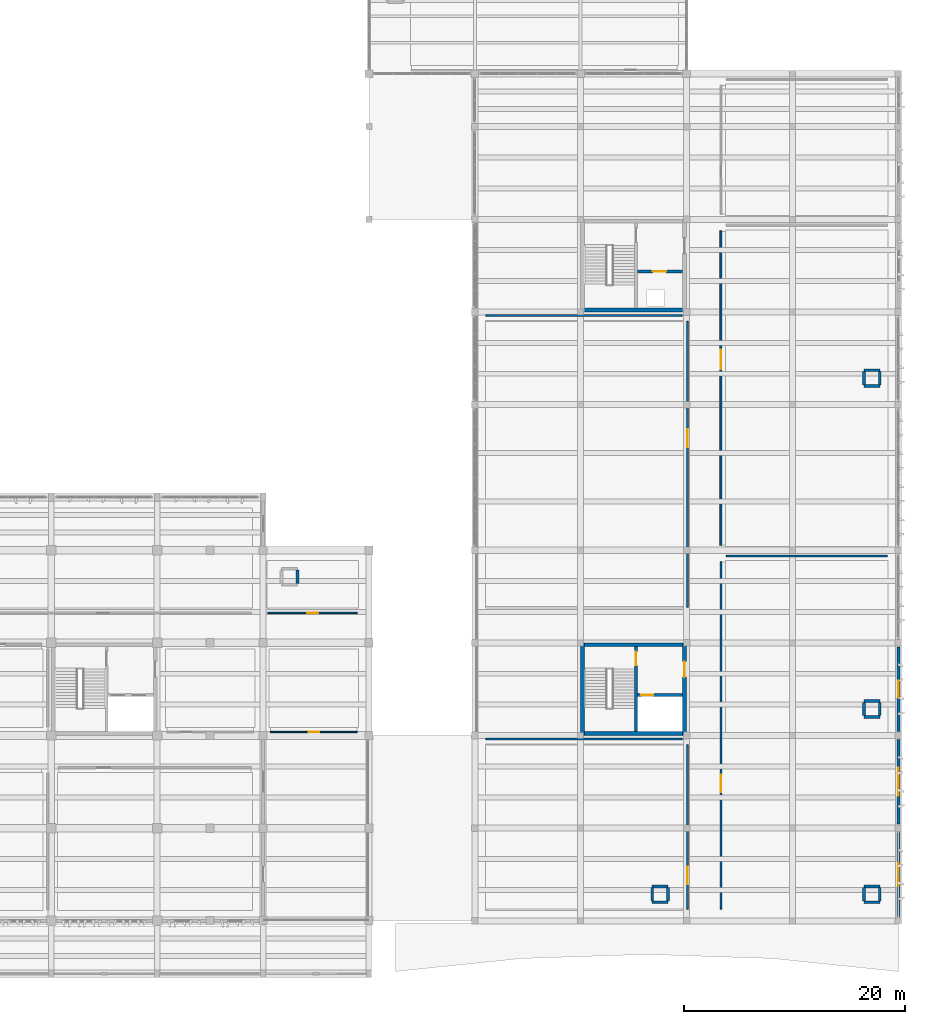
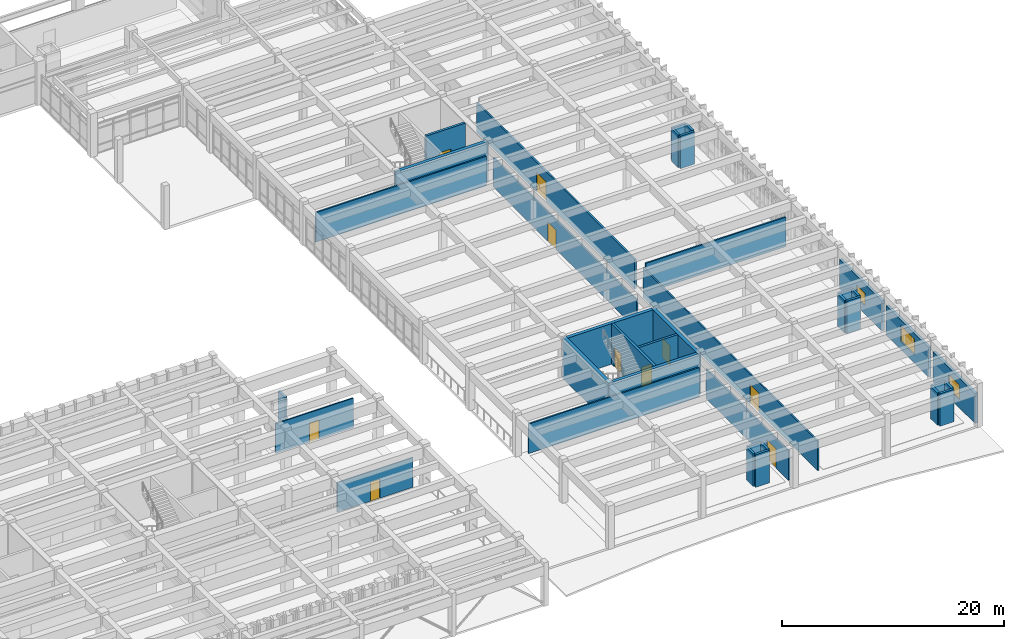
# One storey, part 70 of 86: 37 walls, 10 doors, 3 windows, 13 openings.
"""IFC4 building model written with IfcOpenShell, lengths in metres."""

from ifc_helpers import new_model, si_unit, direction, frame, frame_2d, origin, place, context, subcontext, project, spatial, rectangle, extrude, material, layer, layer_set, type_object, element, fill, save


model = new_model("IFC4")

# Units and contexts
model_context = context("Model", 3, precision=1e-05, world=origin(), true_north=direction((0.0, 1.0)))
body_context = subcontext(model_context, "Body", "Model", "MODEL_VIEW")
ifc_project = project(units=[si_unit("LENGTHUNIT", "METRE"), si_unit("AREAUNIT", "SQUARE_METRE"), si_unit("VOLUMEUNIT", "CUBIC_METRE"), si_unit("PLANEANGLEUNIT", "RADIAN"), si_unit("MASSUNIT", "GRAM", prefix="KILO")], contexts=[model_context])

# Site, building, storey
site_placement = place(None, origin())
site = spatial("IfcSite", under=ifc_project, at=site_placement, CompositionType="ELEMENT")
building_placement = place(site_placement, origin())
building = spatial("IfcBuilding", under=site, at=building_placement, Name="Kolvemor Railside Polytechnic", CompositionType="ELEMENT")
storey_placement = place(building_placement, frame((0.0, 0.0, 5.39990234375)))
storey = spatial("IfcBuildingStorey", under=building, at=storey_placement, Name="L01", CompositionType="ELEMENT", Elevation=5.39990234375)

# Walls
ifc_material_1 = material(Name="Concrete C40/50", Category="concrete")
ifc_layer_1 = layer(ifc_material_1, 0.35009765625, Name="WL-CORE-350")
ifc_layer_set_1 = layer_set([ifc_layer_1], Name="Concrete C40/50")
wall_type_1 = type_object("IfcWallType", Name="WL-CORE-350", PredefinedType="SHEAR", material=ifc_layer_set_1)
for number, where, z_axis, x_axis, name in (
    (1, (153.60009765625, 29.824951171875, 0.0), (0.0, 0.0, 1.0), (1.0, 0.0, 0.0), "CORE-6 North Core Wall L01"),
    (2, (153.60009765625, 21.77490234375, 0.0), (0.0, 0.0, 1.0), (1.0, 0.0, 0.0), "CORE-6 South Core Wall L01"),
):
    element("IfcWall", number, at=place(storey_placement, frame(where, z_axis=z_axis, x_axis=x_axis)), inside=storey, type_object=wall_type_1, Name=name, PredefinedType="SHEAR", context=body_context, shape_type="SweptSolid", body=[
        extrude(rectangle(XDim=9.599853515625, YDim=0.35009765625, at=frame_2d((4.7998046875, 0.0))), origin(), (0.0, 0.0, 1.0), 4.47998046875),
    ])
wall_1_placement = place(storey_placement, frame((153.77490234375, 21.60009765625, 0.0), z_axis=(0.0, 0.0, 1.0), x_axis=(0.0, 1.0, 0.0)))
element("IfcWall", 3, at=wall_1_placement, inside=storey, type_object=wall_type_1, Name="CORE-6 West Core Wall L01", PredefinedType="SHEAR", context=body_context, shape_type="SweptSolid", body=[
    extrude(rectangle(XDim=8.39990234375, YDim=0.35009765625, at=frame_2d((4.199951171875, 0.0))), origin(), (0.0, 0.0, 1.0), 4.47998046875),
])

# Wall, opening, door
wall_2_placement = place(storey_placement, frame((163.02490234375, 21.60009765625, 0.0), z_axis=(0.0, 0.0, 1.0), x_axis=(0.0, 1.0, 0.0)))
wall_2 = element("IfcWall", 4, at=wall_2_placement, inside=storey, type_object=wall_type_1, Name="CORE-6 East Core Wall L01", PredefinedType="SHEAR", context=body_context, shape_type="SweptSolid", body=[
    extrude(rectangle(XDim=8.39990234375, YDim=0.35009765625, at=frame_2d((4.199951171875, 0.0))), origin(), (0.0, 0.0, 1.0), 4.47998046875),
])
opening_1_placement = place(wall_2_placement, frame((5.300048828125, 0.0, 0.0)))
opening_1 = element("IfcOpeningElement", 5, at=opening_1_placement, cuts=wall_2, Name="Opening D-LOB-6-L01", PredefinedType="OPENING", context=body_context, shape_type="SweptSolid", body=[
    extrude(rectangle(XDim=1.39990234375, YDim=2.14990234375, at=frame_2d((0.699951171875, 1.074951171875))), frame((0.0, 0.18505859375, 0.0), z_axis=(0.0, -1.0, 0.0), x_axis=(1.0, 0.0, 0.0)), (0.0, 0.0, 1.0), 0.3701171875),
])
ifc_material_2 = material(Name="Fire-rated hardwood and brushed stainless-steel door", Category="steel")
door_type_1 = type_object("IfcDoorType", Name="DR-FD60-140x215", OperationType="NOTDEFINED", PredefinedType="DOOR", material=ifc_material_2)
door_1_placement = place(opening_1_placement, origin())
door_1 = element("IfcDoor", 6, at=door_1_placement, inside=storey, type_object=door_type_1, Name="Core Lobby Fire Door CORE-6 L01", OperationType="SINGLE_SWING_RIGHT", OverallHeight=2.14990234375, OverallWidth=1.39990234375, PredefinedType="DOOR", context=body_context, shape_type="SweptSolid", body=[
    extrude(rectangle(XDim=1.39990234375, YDim=2.14990234375, at=frame_2d((0.699951171875, 1.074951171875))), frame((0.0, 0.02490234375, 0.0), z_axis=(0.0, -1.0, 0.0), x_axis=(1.0, 0.0, 0.0)), (0.0, 0.0, 1.0), 0.050048828125),
])
fill(opening_1, door_1)

# Wall
wall_3_placement = place(storey_placement, frame((153.60009765625, 60.175048828125, 0.0), z_axis=(0.0, 0.0, 1.0), x_axis=(1.0, 0.0, 0.0)))
element("IfcWall", 7, at=wall_3_placement, inside=storey, type_object=wall_type_1, Name="CORE-7 South Core Wall L01", PredefinedType="SHEAR", context=body_context, shape_type="SweptSolid", body=[
    extrude(rectangle(XDim=9.599853515625, YDim=0.35009765625, at=frame_2d((4.7998046875, 0.0))), origin(), (0.0, 0.0, 1.0), 4.47998046875),
])

# Wall, opening, window
ifc_material_3 = material(Name="Precast concrete C40/50", Category="concrete")
ifc_layer_2 = layer(ifc_material_3, 0.27001953125, Name="WL-EXT-RC-270")
ifc_layer_set_2 = layer_set([ifc_layer_2], Name="Precast concrete C40/50")
wall_type_2 = type_object("IfcWallType", Name="WL-EXT-RC-270", PredefinedType="SOLIDWALL", material=ifc_layer_set_2)
wall_4_placement = place(storey_placement, frame((182.39990234375, 5.179931640625, 0.0), z_axis=(0.0, 0.0, 1.0), x_axis=(0.0, 1.0, 0.0)))
wall_4 = element("IfcWall", 8, at=wall_4_placement, inside=storey, type_object=wall_type_2, Name="Exterior Wall L01-0045", PredefinedType="SOLIDWALL", context=body_context, shape_type="SweptSolid", body=[
    extrude(rectangle(XDim=7.64013671875, YDim=0.27001953125, at=frame_2d((3.820068359375, 0.0))), origin(), (0.0, 0.0, 1.0), 3.280029296875),
])
opening_2_placement = place(wall_4_placement, frame((2.794921875, 0.0, 0.89990234375)))
opening_2 = element("IfcOpeningElement", 9, at=opening_2_placement, cuts=wall_4, Name="Opening WN-M08", PredefinedType="OPENING", context=body_context, shape_type="SweptSolid", body=[
    extrude(rectangle(XDim=2.050048828125, YDim=1.60009765625, at=frame_2d((1.02490234375, 0.800048828125))), frame((0.0, 0.14501953125, 0.0), z_axis=(0.0, -1.0, 0.0), x_axis=(1.0, 0.0, 0.0)), (0.0, 0.0, 1.0), 0.2900390625),
])
ifc_material_4 = material(Name="Hurricane-laminated thermally broken aluminium window", Category="aluminium")
window_type_1 = type_object("IfcWindowType", Name="WN-MOD-205x160", PartitioningType="DOUBLE_PANEL_VERTICAL", PredefinedType="WINDOW", material=ifc_material_4)
window_1_placement = place(opening_2_placement, origin())
window_1 = element("IfcWindow", 10, at=window_1_placement, inside=storey, type_object=window_type_1, Name="Window L01-0042", OverallHeight=1.60009765625, OverallWidth=2.050048828125, PartitioningType="SINGLE_PANEL", PredefinedType="WINDOW", context=body_context, shape_type="SweptSolid", body=[
    extrude(rectangle(XDim=2.050048828125, YDim=1.60009765625, at=frame_2d((1.02490234375, 0.800048828125))), frame((0.0, 0.030029296875, 0.0), z_axis=(0.0, -1.0, 0.0), x_axis=(1.0, 0.0, 0.0)), (0.0, 0.0, 1.0), 0.06005859375),
])
fill(opening_2, window_1)

wall_5_placement = place(storey_placement, frame((182.39990234375, 13.580078125, 0.0), z_axis=(0.0, 0.0, 1.0), x_axis=(0.0, 1.0, 0.0)))
wall_5 = element("IfcWall", 11, at=wall_5_placement, inside=storey, type_object=wall_type_2, Name="Exterior Wall L01-0048", PredefinedType="SOLIDWALL", context=body_context, shape_type="SweptSolid", body=[
    extrude(rectangle(XDim=7.639892578125, YDim=0.27001953125, at=frame_2d((3.81982421875, 0.0))), origin(), (0.0, 0.0, 1.0), 3.280029296875),
])
opening_3_placement = place(wall_5_placement, frame((2.544921875, 0.0, 0.89990234375)))
opening_3 = element("IfcOpeningElement", 12, at=opening_3_placement, cuts=wall_5, Name="Opening WN-M13", PredefinedType="OPENING", context=body_context, shape_type="SweptSolid", body=[
    extrude(rectangle(XDim=2.550048828125, YDim=1.75, at=frame_2d((1.27490234375, 0.875))), frame((0.0, 0.14501953125, 0.0), z_axis=(0.0, -1.0, 0.0), x_axis=(1.0, 0.0, 0.0)), (0.0, 0.0, 1.0), 0.2900390625),
])
ifc_material_5 = material(Name="Hurricane-laminated thermally broken aluminium window", Category="aluminium")
window_type_2 = type_object("IfcWindowType", Name="WN-MOD-255x175", PartitioningType="DOUBLE_PANEL_VERTICAL", PredefinedType="WINDOW", material=ifc_material_5)
window_2_placement = place(opening_3_placement, origin())
window_2 = element("IfcWindow", 13, at=window_2_placement, inside=storey, type_object=window_type_2, Name="Window L01-0045", OverallHeight=1.75, OverallWidth=2.550048828125, PartitioningType="SINGLE_PANEL", PredefinedType="WINDOW", context=body_context, shape_type="SweptSolid", body=[
    extrude(rectangle(XDim=2.550048828125, YDim=1.75, at=frame_2d((1.27490234375, 0.875))), frame((0.0, 0.030029296875, 0.0), z_axis=(0.0, -1.0, 0.0), x_axis=(1.0, 0.0, 0.0)), (0.0, 0.0, 1.0), 0.06005859375),
])
fill(opening_3, window_2)

wall_6_placement = place(storey_placement, frame((182.39990234375, 21.97998046875, 0.0), z_axis=(0.0, 0.0, 1.0), x_axis=(0.0, 1.0, 0.0)))
wall_6 = element("IfcWall", 14, at=wall_6_placement, inside=storey, type_object=wall_type_2, Name="Exterior Wall L01-0056", PredefinedType="SOLIDWALL", context=body_context, shape_type="SweptSolid", body=[
    extrude(rectangle(XDim=7.64013671875, YDim=0.27001953125, at=frame_2d((3.820068359375, 0.0))), origin(), (0.0, 0.0, 1.0), 3.280029296875),
])
opening_4_placement = place(wall_6_placement, frame((3.070068359375, 0.0, 0.89990234375)))
opening_4 = element("IfcOpeningElement", 15, at=opening_4_placement, cuts=wall_6, Name="Opening WN-M18", PredefinedType="OPENING", context=body_context, shape_type="SweptSolid", body=[
    extrude(rectangle(XDim=1.5, YDim=1.39990234375, at=frame_2d((0.75, 0.699951171875))), frame((0.0, 0.14501953125, 0.0), z_axis=(0.0, -1.0, 0.0), x_axis=(1.0, 0.0, 0.0)), (0.0, 0.0, 1.0), 0.2900390625),
])
ifc_material_6 = material(Name="Hurricane-laminated thermally broken aluminium window", Category="aluminium")
window_type_3 = type_object("IfcWindowType", Name="WN-MOD-150x140", PartitioningType="SINGLE_PANEL", PredefinedType="WINDOW", material=ifc_material_6)
window_3_placement = place(opening_4_placement, origin())
window_3 = element("IfcWindow", 16, at=window_3_placement, inside=storey, type_object=window_type_3, Name="Window L01-0052", OverallHeight=1.39990234375, OverallWidth=1.5, PartitioningType="SINGLE_PANEL", PredefinedType="WINDOW", context=body_context, shape_type="SweptSolid", body=[
    extrude(rectangle(XDim=1.5, YDim=1.39990234375, at=frame_2d((0.75, 0.699951171875))), frame((0.0, 0.030029296875, 0.0), z_axis=(0.0, -1.0, 0.0), x_axis=(1.0, 0.0, 0.0)), (0.0, 0.0, 1.0), 0.06005859375),
])
fill(opening_4, window_3)

# Wall, opening, door
ifc_material_7 = material(Name="Wet-area tile-backer partition")
ifc_layer_3 = layer(ifc_material_7, 0.1201171875, Name="WL-PART-120")
ifc_layer_set_3 = layer_set([ifc_layer_3], Name="Wet-area tile-backer partition")
wall_type_3 = type_object("IfcWallType", Name="WL-PART-120", PredefinedType="PARTITIONING", material=ifc_layer_set_3)
wall_7_placement = place(storey_placement, frame((125.449951171875, 21.919921875, 0.0), z_axis=(0.0, 0.0, 1.0), x_axis=(1.0, 0.0, 0.0)))
wall_7 = element("IfcWall", 17, at=wall_7_placement, inside=storey, type_object=wall_type_3, Name="Partition Wall L01-0114", PredefinedType="PARTITIONING", context=body_context, shape_type="SweptSolid", body=[
    extrude(rectangle(XDim=7.900146484375, YDim=0.1201171875, at=frame_2d((3.9501953125, 0.0))), origin(), (0.0, 0.0, 1.0), 3.260009765625),
])
opening_5_placement = place(wall_7_placement, frame((3.47509765625, 0.0, 0.0)))
opening_5 = element("IfcOpeningElement", 18, at=opening_5_placement, cuts=wall_7, Name="Opening D-01065", PredefinedType="OPENING", context=body_context, shape_type="SweptSolid", body=[
    extrude(rectangle(XDim=0.949951171875, YDim=2.10009765625, at=frame_2d((0.47509765625, 1.050048828125))), frame((0.0, 0.070068359375, 0.0), z_axis=(0.0, -1.0, 0.0), x_axis=(1.0, 0.0, 0.0)), (0.0, 0.0, 1.0), 0.14013671875),
])
ifc_material_8 = material(Name="Solid hardwood acoustic door", Category="wood")
door_type_2 = type_object("IfcDoorType", Name="DR-WC-095x210", OperationType="NOTDEFINED", PredefinedType="DOOR", material=ifc_material_8)
door_2_placement = place(opening_5_placement, origin())
door_2 = element("IfcDoor", 19, at=door_2_placement, inside=storey, type_object=door_type_2, Name="Room Door D-01065 (Main Stack Accessible WC L01)", OperationType="SINGLE_SWING_RIGHT", OverallHeight=2.10009765625, OverallWidth=0.949951171875, PredefinedType="DOOR", context=body_context, shape_type="SweptSolid", body=[
    extrude(rectangle(XDim=0.949951171875, YDim=2.10009765625, at=frame_2d((0.47509765625, 1.050048828125))), frame((0.0, 0.02490234375, 0.0), z_axis=(0.0, -1.0, 0.0), x_axis=(1.0, 0.0, 0.0)), (0.0, 0.0, 1.0), 0.050048828125),
])
fill(opening_5, door_2)

ifc_material_9 = material(Name="Departmental partition")
ifc_layer_4 = layer(ifc_material_9, 0.1298828125, Name="WL-PART-130")
ifc_layer_set_4 = layer_set([ifc_layer_4], Name="Departmental partition")
wall_type_4 = type_object("IfcWallType", Name="WL-PART-130", PredefinedType="PARTITIONING", material=ifc_layer_set_4)
wall_8_placement = place(storey_placement, frame((125.25, 32.719970703125, 0.0), z_axis=(0.0, 0.0, 1.0), x_axis=(1.0, 0.0, 0.0)))
wall_8 = element("IfcWall", 20, at=wall_8_placement, inside=storey, type_object=wall_type_4, Name="Partition Wall L01-0118", PredefinedType="PARTITIONING", context=body_context, shape_type="SweptSolid", body=[
    extrude(rectangle(XDim=8.10009765625, YDim=0.1298828125, at=frame_2d((4.050048828125, 0.0))), origin(), (0.0, 0.0, 1.0), 3.260009765625),
])
opening_6_placement = place(wall_8_placement, frame((3.56005859375, 0.0, 0.0)))
opening_6 = element("IfcOpeningElement", 21, at=opening_6_placement, cuts=wall_8, Name="Opening D-01068", PredefinedType="OPENING", context=body_context, shape_type="SweptSolid", body=[
    extrude(rectangle(XDim=0.97998046875, YDim=2.10009765625, at=frame_2d((0.489990234375, 1.050048828125))), frame((0.0, 0.074951171875, 0.0), z_axis=(0.0, -1.0, 0.0), x_axis=(1.0, 0.0, 0.0)), (0.0, 0.0, 1.0), 0.14990234375),
])
ifc_material_10 = material(Name="Solid hardwood acoustic door", Category="wood")
door_type_3 = type_object("IfcDoorType", Name="DR-ADM-098x210", OperationType="NOTDEFINED", PredefinedType="DOOR", material=ifc_material_10)
door_3_placement = place(opening_6_placement, origin())
door_3 = element("IfcDoor", 22, at=door_3_placement, inside=storey, type_object=door_type_3, Name="Room Door D-01068 (Laboratory Prep and Technician Office L01)", OperationType="SINGLE_SWING_LEFT", OverallHeight=2.10009765625, OverallWidth=0.97998046875, PredefinedType="DOOR", context=body_context, shape_type="SweptSolid", body=[
    extrude(rectangle(XDim=0.97998046875, YDim=2.10009765625, at=frame_2d((0.489990234375, 1.050048828125))), frame((0.0, 0.02490234375, 0.0), z_axis=(0.0, -1.0, 0.0), x_axis=(1.0, 0.0, 0.0)), (0.0, 0.0, 1.0), 0.050048828125),
])
fill(opening_6, door_3)

ifc_material_11 = material(Name="Acoustic studio partition")
ifc_layer_5 = layer(ifc_material_11, 0.14990234375, Name="WL-PART-150")
ifc_layer_set_5 = layer_set([ifc_layer_5], Name="Acoustic studio partition")
wall_type_5 = type_object("IfcWallType", Name="WL-PART-150", PredefinedType="PARTITIONING", material=ifc_layer_set_5)
wall_9_placement = place(storey_placement, frame((163.280029296875, 5.85009765625, 0.0), z_axis=(0.0, 0.0, 1.0), x_axis=(0.0, 1.0, 0.0)))
wall_9 = element("IfcWall", 23, at=wall_9_placement, inside=storey, type_object=wall_type_5, Name="Partition Wall L01-0119", PredefinedType="PARTITIONING", context=body_context, shape_type="SweptSolid", body=[
    extrude(rectangle(XDim=14.89990234375, YDim=0.14990234375, at=frame_2d((7.449951171875, 0.0))), origin(), (0.0, 0.0, 1.0), 3.260009765625),
])
opening_7_placement = place(wall_9_placement, frame((2.27490234375, 0.0, 0.0)))
opening_7 = element("IfcOpeningElement", 24, at=opening_7_placement, cuts=wall_9, Name="Opening D-01069", PredefinedType="OPENING", context=body_context, shape_type="SweptSolid", body=[
    extrude(rectangle(XDim=1.60009765625, YDim=2.14990234375, at=frame_2d((0.800048828125, 1.074951171875))), frame((0.0, 0.0849609375, 0.0), z_axis=(0.0, -1.0, 0.0), x_axis=(1.0, 0.0, 0.0)), (0.0, 0.0, 1.0), 0.169921875),
])
ifc_material_12 = material(Name="Fire-rated hardwood and brushed stainless-steel door", Category="steel")
door_type_4 = type_object("IfcDoorType", Name="DR-FD60-160x215", OperationType="NOTDEFINED", PredefinedType="DOOR", material=ifc_material_12)
door_4_placement = place(opening_7_placement, origin())
door_4 = element("IfcDoor", 25, at=door_4_placement, inside=storey, type_object=door_type_4, Name="Room Door D-01069 (Student Union Mezzanine Gallery)", OperationType="SINGLE_SWING_RIGHT", OverallHeight=2.14990234375, OverallWidth=1.60009765625, PredefinedType="DOOR", context=body_context, shape_type="SweptSolid", body=[
    extrude(rectangle(XDim=1.60009765625, YDim=2.14990234375, at=frame_2d((0.800048828125, 1.074951171875))), frame((0.0, 0.02490234375, 0.0), z_axis=(0.0, -1.0, 0.0), x_axis=(1.0, 0.0, 0.0)), (0.0, 0.0, 1.0), 0.050048828125),
])
fill(opening_7, door_4)

# Wall
wall_10_placement = place(storey_placement, frame((145.0, 21.280029296875, 0.0), z_axis=(0.0, 0.0, 1.0), x_axis=(1.0, 0.0, 0.0)))
element("IfcWall", 26, at=wall_10_placement, inside=storey, type_object=wall_type_5, Name="Demising Partition L01-0120", PredefinedType="PARTITIONING", context=body_context, shape_type="SweptSolid", body=[
    extrude(rectangle(XDim=17.800048828125, YDim=0.14990234375, at=frame_2d((8.89990234375, 0.0))), origin(), (0.0, 0.0, 1.0), 3.260009765625),
])

# Wall, opening, door
wall_11_placement = place(storey_placement, frame((166.320068359375, 5.85009765625, 0.0), z_axis=(0.0, 0.0, 1.0), x_axis=(0.0, 1.0, 0.0)))
wall_11 = element("IfcWall", 27, at=wall_11_placement, inside=storey, type_object=wall_type_5, Name="Partition Wall L01-0121", PredefinedType="PARTITIONING", context=body_context, shape_type="SweptSolid", body=[
    extrude(rectangle(XDim=31.5, YDim=0.14990234375, at=frame_2d((15.75, 0.0))), origin(), (0.0, 0.0, 1.0), 3.260009765625),
])
opening_8_placement = place(wall_11_placement, frame((10.5849609375, 0.0, 0.0)))
opening_8 = element("IfcOpeningElement", 28, at=opening_8_placement, cuts=wall_11, Name="Opening D-01070", PredefinedType="OPENING", context=body_context, shape_type="SweptSolid", body=[
    extrude(rectangle(XDim=1.60009765625, YDim=2.14990234375, at=frame_2d((0.800048828125, 1.074951171875))), frame((0.0, 0.0849609375, 0.0), z_axis=(0.0, -1.0, 0.0), x_axis=(1.0, 0.0, 0.0)), (0.0, 0.0, 1.0), 0.169921875),
])
door_5_placement = place(opening_8_placement, origin())
door_5 = element("IfcDoor", 29, at=door_5_placement, inside=storey, type_object=door_type_4, Name="Room Door D-01070 (Student Media and Radio Studio)", OperationType="SINGLE_SWING_LEFT", OverallHeight=2.14990234375, OverallWidth=1.60009765625, PredefinedType="DOOR", context=body_context, shape_type="SweptSolid", body=[
    extrude(rectangle(XDim=1.60009765625, YDim=2.14990234375, at=frame_2d((0.800048828125, 1.074951171875))), frame((0.0, 0.02490234375, 0.0), z_axis=(0.0, -1.0, 0.0), x_axis=(1.0, 0.0, 0.0)), (0.0, 0.0, 1.0), 0.050048828125),
])
fill(opening_8, door_5)

# Wall
wall_12_placement = place(storey_placement, frame((166.800048828125, 37.8798828125, 0.0), z_axis=(0.0, 0.0, 1.0), x_axis=(1.0, 0.0, 0.0)))
element("IfcWall", 30, at=wall_12_placement, inside=storey, type_object=wall_type_5, Name="Demising Partition L01-0122", PredefinedType="PARTITIONING", context=body_context, shape_type="SweptSolid", body=[
    extrude(rectangle(XDim=14.599853515625, YDim=0.14990234375, at=frame_2d((7.2998046875, 0.0))), origin(), (0.0, 0.0, 1.0), 3.260009765625),
])

# Wall, opening, door
wall_13_placement = place(storey_placement, frame((163.280029296875, 33.25, 0.0), z_axis=(0.0, 0.0, 1.0), x_axis=(0.0, 1.0, 0.0)))
wall_13 = element("IfcWall", 31, at=wall_13_placement, inside=storey, type_object=wall_type_5, Name="Partition Wall L01-0125", PredefinedType="PARTITIONING", context=body_context, shape_type="SweptSolid", body=[
    extrude(rectangle(XDim=25.89990234375, YDim=0.14990234375, at=frame_2d((12.949951171875, 0.0))), origin(), (0.0, 0.0, 1.0), 3.260009765625),
])
opening_9_placement = place(wall_13_placement, frame((14.5, 0.0, 0.0)))
opening_9 = element("IfcOpeningElement", 32, at=opening_9_placement, cuts=wall_13, Name="Opening D-01072", PredefinedType="OPENING", context=body_context, shape_type="SweptSolid", body=[
    extrude(rectangle(XDim=1.60009765625, YDim=2.14990234375, at=frame_2d((0.800048828125, 1.074951171875))), frame((0.0, 0.0849609375, 0.0), z_axis=(0.0, -1.0, 0.0), x_axis=(1.0, 0.0, 0.0)), (0.0, 0.0, 1.0), 0.169921875),
])
door_6_placement = place(opening_9_placement, origin())
door_6 = element("IfcDoor", 33, at=door_6_placement, inside=storey, type_object=door_type_4, Name="Room Door D-01072 (Student Study Lounge L01)", OperationType="SINGLE_SWING_LEFT", OverallHeight=2.14990234375, OverallWidth=1.60009765625, PredefinedType="DOOR", context=body_context, shape_type="SweptSolid", body=[
    extrude(rectangle(XDim=1.60009765625, YDim=2.14990234375, at=frame_2d((0.800048828125, 1.074951171875))), frame((0.0, 0.02490234375, 0.0), z_axis=(0.0, -1.0, 0.0), x_axis=(1.0, 0.0, 0.0)), (0.0, 0.0, 1.0), 0.050048828125),
])
fill(opening_9, door_6)

# Wall
wall_14_placement = place(storey_placement, frame((145.0, 59.679931640625, 0.0), z_axis=(0.0, 0.0, 1.0), x_axis=(1.0, 0.0, 0.0)))
element("IfcWall", 34, at=wall_14_placement, inside=storey, type_object=wall_type_5, Name="Demising Partition L01-0126", PredefinedType="PARTITIONING", context=body_context, shape_type="SweptSolid", body=[
    extrude(rectangle(XDim=17.800048828125, YDim=0.14990234375, at=frame_2d((8.89990234375, 0.0))), origin(), (0.0, 0.0, 1.0), 3.260009765625),
])

# Wall, opening, door
ifc_material_13 = material(Name="Fire-rated double-stud acoustic partition")
ifc_layer_6 = layer(ifc_material_13, 0.179931640625, Name="WL-PART-180")
ifc_layer_set_6 = layer_set([ifc_layer_6], Name="Fire-rated double-stud acoustic partition")
wall_type_6 = type_object("IfcWallType", Name="WL-PART-180", PredefinedType="PARTITIONING", material=ifc_layer_set_6)
wall_15_placement = place(storey_placement, frame((166.320068359375, 38.85009765625, 0.0), z_axis=(0.0, 0.0, 1.0), x_axis=(0.0, 1.0, 0.0)))
wall_15 = element("IfcWall", 35, at=wall_15_placement, inside=storey, type_object=wall_type_6, Name="Partition Wall L01-0123", PredefinedType="PARTITIONING", context=body_context, shape_type="SweptSolid", body=[
    extrude(rectangle(XDim=28.5, YDim=0.179931640625, at=frame_2d((14.25, 0.0))), origin(), (0.0, 0.0, 1.0), 3.260009765625),
])
opening_10_placement = place(wall_15_placement, frame((15.969970703125, 0.0, 0.0)))
opening_10 = element("IfcOpeningElement", 36, at=opening_10_placement, cuts=wall_15, Name="Opening D-01071", PredefinedType="OPENING", context=body_context, shape_type="SweptSolid", body=[
    extrude(rectangle(XDim=1.75, YDim=2.14990234375, at=frame_2d((0.875, 1.074951171875))), frame((0.0, 0.099853515625, 0.0), z_axis=(0.0, -1.0, 0.0), x_axis=(1.0, 0.0, 0.0)), (0.0, 0.0, 1.0), 0.199951171875),
])
ifc_material_14 = material(Name="Solid hardwood acoustic door", Category="wood")
door_type_5 = type_object("IfcDoorType", Name="DR-REF-175x215", OperationType="NOTDEFINED", PredefinedType="DOOR", material=ifc_material_14)
door_7_placement = place(opening_10_placement, origin())
door_7 = element("IfcDoor", 37, at=door_7_placement, inside=storey, type_object=door_type_5, Name="Room Door D-01071 (Staff and Graduate Dining Room)", OperationType="SINGLE_SWING_RIGHT", OverallHeight=2.14990234375, OverallWidth=1.75, PredefinedType="DOOR", context=body_context, shape_type="SweptSolid", body=[
    extrude(rectangle(XDim=1.75, YDim=2.14990234375, at=frame_2d((0.875, 1.074951171875))), frame((0.0, 0.02490234375, 0.0), z_axis=(0.0, -1.0, 0.0), x_axis=(1.0, 0.0, 0.0)), (0.0, 0.0, 1.0), 0.050048828125),
])
fill(opening_10, door_7)

ifc_material_15 = material(Name="Concrete C40/50", Category="concrete")
ifc_layer_7 = layer(ifc_material_15, 0.25, Name="WL-SHFT-250")
ifc_layer_set_7 = layer_set([ifc_layer_7], Name="Concrete C40/50")
wall_type_7 = type_object("IfcWallType", Name="WL-SHFT-250", PredefinedType="SHEAR", material=ifc_layer_set_7)
wall_16_placement = place(storey_placement, frame((158.625, 29.64990234375, 0.0), z_axis=(0.0, 0.0, 1.0), x_axis=(0.0, -1.0, 0.0)))
wall_16 = element("IfcWall", 38, at=wall_16_placement, inside=storey, type_object=wall_type_7, Name="CORE-6 Stair-Lobby Divider Wall L01", PredefinedType="SHEAR", context=body_context, shape_type="SweptSolid", body=[
    extrude(rectangle(XDim=7.699951171875, YDim=0.25, at=frame_2d((3.85009765625, 0.0))), origin(), (0.0, 0.0, 1.0), 4.47998046875),
])
opening_11_placement = place(wall_16_placement, frame((0.449951171875, 0.0, 0.0)))
opening_11 = element("IfcOpeningElement", 39, at=opening_11_placement, cuts=wall_16, Name="Opening D-ST-6-L01", PredefinedType="OPENING", context=body_context, shape_type="SweptSolid", body=[
    extrude(rectangle(XDim=1.25, YDim=2.14990234375, at=frame_2d((0.625, 1.074951171875))), frame((0.0, 0.135009765625, 0.0), z_axis=(0.0, -1.0, 0.0), x_axis=(1.0, 0.0, 0.0)), (0.0, 0.0, 1.0), 0.27001953125),
])
ifc_material_16 = material(Name="Fire-rated hardwood and brushed stainless-steel door", Category="steel")
door_type_6 = type_object("IfcDoorType", Name="DR-FD90-125x215", OperationType="NOTDEFINED", PredefinedType="DOOR", material=ifc_material_16)
door_8_placement = place(opening_11_placement, origin())
door_8 = element("IfcDoor", 40, at=door_8_placement, inside=storey, type_object=door_type_6, Name="Stair Fire Door ST-6 L01", OperationType="SINGLE_SWING_LEFT", OverallHeight=2.14990234375, OverallWidth=1.25, PredefinedType="DOOR", context=body_context, shape_type="SweptSolid", body=[
    extrude(rectangle(XDim=1.25, YDim=2.14990234375, at=frame_2d((0.625, 1.074951171875))), frame((0.0, 0.02490234375, 0.0), z_axis=(0.0, -1.0, 0.0), x_axis=(1.0, 0.0, 0.0)), (0.0, 0.0, 1.0), 0.050048828125),
])
fill(opening_11, door_8)

wall_17_placement = place(storey_placement, frame((158.75, 25.27490234375, 0.0), z_axis=(0.0, 0.0, 1.0), x_axis=(1.0, 0.0, 0.0)))
wall_17 = element("IfcWall", 41, at=wall_17_placement, inside=storey, type_object=wall_type_7, Name="CORE-6 Lift Shaft Front Wall L01", PredefinedType="SHEAR", context=body_context, shape_type="SweptSolid", body=[
    extrude(rectangle(XDim=4.10009765625, YDim=0.25, at=frame_2d((2.050048828125, 0.0))), origin(), (0.0, 0.0, 1.0), 4.47998046875),
])
opening_12_placement = place(wall_17_placement, frame((0.35009765625, 0.0, 0.0)))
opening_12 = element("IfcOpeningElement", 42, at=opening_12_placement, cuts=wall_17, Name="Opening LD-PL-4-L01", PredefinedType="OPENING", context=body_context, shape_type="SweptSolid", body=[
    extrude(rectangle(XDim=1.10009765625, YDim=2.14990234375, at=frame_2d((0.550048828125, 1.074951171875))), frame((0.0, 0.135009765625, 0.0), z_axis=(0.0, -1.0, 0.0), x_axis=(1.0, 0.0, 0.0)), (0.0, 0.0, 1.0), 0.27001953125),
])
ifc_material_17 = material(Name="Fire-rated hardwood and brushed stainless-steel door", Category="steel")
door_type_7 = type_object("IfcDoorType", Name="DR-LIFT-110x215", OperationType="SLIDING_TO_LEFT", PredefinedType="DOOR", material=ifc_material_17)
door_9_placement = place(opening_12_placement, origin())
door_9 = element("IfcDoor", 43, at=door_9_placement, inside=storey, type_object=door_type_7, Name="Lift Landing Sliding Door PL-4 L01", OperationType="SLIDING_TO_LEFT", OverallHeight=2.14990234375, OverallWidth=1.10009765625, PredefinedType="DOOR", context=body_context, shape_type="SweptSolid", body=[
    extrude(rectangle(XDim=1.10009765625, YDim=2.14990234375, at=frame_2d((0.550048828125, 1.074951171875))), frame((0.0, 0.02490234375, 0.0), z_axis=(0.0, -1.0, 0.0), x_axis=(1.0, 0.0, 0.0)), (0.0, 0.0, 1.0), 0.050048828125),
])
fill(opening_12, door_9)

wall_18_placement = place(storey_placement, frame((158.75, 63.675048828125, 0.0), z_axis=(0.0, 0.0, 1.0), x_axis=(1.0, 0.0, 0.0)))
wall_18 = element("IfcWall", 44, at=wall_18_placement, inside=storey, type_object=wall_type_7, Name="CORE-7 Lift Shaft Front Wall L01", PredefinedType="SHEAR", context=body_context, shape_type="SweptSolid", body=[
    extrude(rectangle(XDim=4.10009765625, YDim=0.25, at=frame_2d((2.050048828125, 0.0))), origin(), (0.0, 0.0, 1.0), 4.47998046875),
])
opening_13_placement = place(wall_18_placement, frame((1.39990234375, 0.0, 0.0)))
opening_13 = element("IfcOpeningElement", 45, at=opening_13_placement, cuts=wall_18, Name="Opening D-RSR-7-L01", PredefinedType="OPENING", context=body_context, shape_type="SweptSolid", body=[
    extrude(rectangle(XDim=1.199951171875, YDim=2.14990234375, at=frame_2d((0.60009765625, 1.074951171875))), frame((0.0, 0.135009765625, 0.0), z_axis=(0.0, -1.0, 0.0), x_axis=(1.0, 0.0, 0.0)), (0.0, 0.0, 1.0), 0.27001953125),
])
ifc_material_18 = material(Name="Fire-rated hardwood and brushed stainless-steel door", Category="steel")
door_type_8 = type_object("IfcDoorType", Name="DR-FD60-120x215", OperationType="NOTDEFINED", PredefinedType="DOOR", material=ifc_material_18)
door_10_placement = place(opening_13_placement, origin())
door_10 = element("IfcDoor", 46, at=door_10_placement, inside=storey, type_object=door_type_8, Name="Riser Fire Door CORE-7 L01", OperationType="SINGLE_SWING_RIGHT", OverallHeight=2.14990234375, OverallWidth=1.199951171875, PredefinedType="DOOR", context=body_context, shape_type="SweptSolid", body=[
    extrude(rectangle(XDim=1.199951171875, YDim=2.14990234375, at=frame_2d((0.60009765625, 1.074951171875))), frame((0.0, 0.02490234375, 0.0), z_axis=(0.0, -1.0, 0.0), x_axis=(1.0, 0.0, 0.0)), (0.0, 0.0, 1.0), 0.050048828125),
])
fill(opening_13, door_10)

# Walls
ifc_material_19 = material(Name="Concrete C40/50", Category="concrete")
ifc_layer_8 = layer(ifc_material_19, 0.25, Name="WL-TIER-RC")
ifc_layer_set_8 = layer_set([ifc_layer_8], Name="Concrete C40/50")
wall_type_8 = type_object("IfcWallType", Name="WL-TIER-RC", PredefinedType="SHEAR", material=ifc_layer_set_8)
wall_19_placement = place(storey_placement, frame((127.919921875, 35.39990234375, 0.0), z_axis=(0.0, 0.0, 1.0), x_axis=(0.0, 1.0, 0.0)))
element("IfcWall", 47, at=wall_19_placement, inside=storey, type_object=wall_type_8, Name="MEP Riser Enclosure Wall L01-53E", PredefinedType="SHEAR", context=body_context, shape_type="SweptSolid", body=[
    extrude(rectangle(XDim=1.2001953125, YDim=0.25, at=frame_2d((0.60009765625, 0.0))), origin(), (0.0, 0.0, 1.0), 3.60009765625),
])
for number, where, z_axis, x_axis, name in (
    (48, (160.080078125, 6.47998046875, 0.0), (0.0, 0.0, 1.0), (1.0, 0.0, 0.0), "MEP Riser Enclosure Wall L01-54S"),
    (49, (160.080078125, 7.919921875, 0.0), (0.0, 0.0, 1.0), (1.0, 0.0, 0.0), "MEP Riser Enclosure Wall L01-54N"),
):
    element("IfcWall", number, at=place(storey_placement, frame(where, z_axis=z_axis, x_axis=x_axis)), inside=storey, type_object=wall_type_8, Name=name, PredefinedType="SHEAR", context=body_context, shape_type="SweptSolid", body=[
        extrude(rectangle(XDim=1.43994140625, YDim=0.25, at=frame_2d((0.719970703125, 0.0))), origin(), (0.0, 0.0, 1.0), 3.60009765625),
    ])
for number, where, z_axis, x_axis, name in (
    (50, (160.080078125, 6.60009765625, 0.0), (0.0, 0.0, 1.0), (0.0, 1.0, 0.0), "MEP Riser Enclosure Wall L01-54W"),
    (51, (161.52001953125, 6.60009765625, 0.0), (0.0, 0.0, 1.0), (0.0, 1.0, 0.0), "MEP Riser Enclosure Wall L01-54E"),
):
    element("IfcWall", number, at=place(storey_placement, frame(where, z_axis=z_axis, x_axis=x_axis)), inside=storey, type_object=wall_type_8, Name=name, PredefinedType="SHEAR", context=body_context, shape_type="SweptSolid", body=[
        extrude(rectangle(XDim=1.199951171875, YDim=0.25, at=frame_2d((0.60009765625, 0.0))), origin(), (0.0, 0.0, 1.0), 3.60009765625),
    ])
for number, where, z_axis, x_axis, name in (
    (52, (179.280029296875, 6.47998046875, 0.0), (0.0, 0.0, 1.0), (1.0, 0.0, 0.0), "MEP Riser Enclosure Wall L01-57S"),
    (53, (179.280029296875, 7.919921875, 0.0), (0.0, 0.0, 1.0), (1.0, 0.0, 0.0), "MEP Riser Enclosure Wall L01-57N"),
):
    element("IfcWall", number, at=place(storey_placement, frame(where, z_axis=z_axis, x_axis=x_axis)), inside=storey, type_object=wall_type_8, Name=name, PredefinedType="SHEAR", context=body_context, shape_type="SweptSolid", body=[
        extrude(rectangle(XDim=1.43994140625, YDim=0.25, at=frame_2d((0.719970703125, 0.0))), origin(), (0.0, 0.0, 1.0), 3.60009765625),
    ])
for number, where, z_axis, x_axis, name in (
    (54, (179.280029296875, 6.60009765625, 0.0), (0.0, 0.0, 1.0), (0.0, 1.0, 0.0), "MEP Riser Enclosure Wall L01-57W"),
    (55, (180.719970703125, 6.60009765625, 0.0), (0.0, 0.0, 1.0), (0.0, 1.0, 0.0), "MEP Riser Enclosure Wall L01-57E"),
):
    element("IfcWall", number, at=place(storey_placement, frame(where, z_axis=z_axis, x_axis=x_axis)), inside=storey, type_object=wall_type_8, Name=name, PredefinedType="SHEAR", context=body_context, shape_type="SweptSolid", body=[
        extrude(rectangle(XDim=1.199951171875, YDim=0.25, at=frame_2d((0.60009765625, 0.0))), origin(), (0.0, 0.0, 1.0), 3.60009765625),
    ])
for number, where, z_axis, x_axis, name in (
    (56, (179.280029296875, 23.280029296875, 0.0), (0.0, 0.0, 1.0), (1.0, 0.0, 0.0), "MEP Riser Enclosure Wall L01-58S"),
    (57, (179.280029296875, 24.719970703125, 0.0), (0.0, 0.0, 1.0), (1.0, 0.0, 0.0), "MEP Riser Enclosure Wall L01-58N"),
):
    element("IfcWall", number, at=place(storey_placement, frame(where, z_axis=z_axis, x_axis=x_axis)), inside=storey, type_object=wall_type_8, Name=name, PredefinedType="SHEAR", context=body_context, shape_type="SweptSolid", body=[
        extrude(rectangle(XDim=1.43994140625, YDim=0.25, at=frame_2d((0.719970703125, 0.0))), origin(), (0.0, 0.0, 1.0), 3.60009765625),
    ])
for number, where, z_axis, x_axis, name in (
    (58, (179.280029296875, 23.39990234375, 0.0), (0.0, 0.0, 1.0), (0.0, 1.0, 0.0), "MEP Riser Enclosure Wall L01-58W"),
    (59, (180.719970703125, 23.39990234375, 0.0), (0.0, 0.0, 1.0), (0.0, 1.0, 0.0), "MEP Riser Enclosure Wall L01-58E"),
):
    element("IfcWall", number, at=place(storey_placement, frame(where, z_axis=z_axis, x_axis=x_axis)), inside=storey, type_object=wall_type_8, Name=name, PredefinedType="SHEAR", context=body_context, shape_type="SweptSolid", body=[
        extrude(rectangle(XDim=1.2001953125, YDim=0.25, at=frame_2d((0.60009765625, 0.0))), origin(), (0.0, 0.0, 1.0), 3.60009765625),
    ])
for number, where, z_axis, x_axis, name in (
    (60, (179.280029296875, 53.280029296875, 0.0), (0.0, 0.0, 1.0), (1.0, 0.0, 0.0), "MEP Riser Enclosure Wall L01-59S"),
    (61, (179.280029296875, 54.719970703125, 0.0), (0.0, 0.0, 1.0), (1.0, 0.0, 0.0), "MEP Riser Enclosure Wall L01-59N"),
):
    element("IfcWall", number, at=place(storey_placement, frame(where, z_axis=z_axis, x_axis=x_axis)), inside=storey, type_object=wall_type_8, Name=name, PredefinedType="SHEAR", context=body_context, shape_type="SweptSolid", body=[
        extrude(rectangle(XDim=1.43994140625, YDim=0.25, at=frame_2d((0.719970703125, 0.0))), origin(), (0.0, 0.0, 1.0), 3.60009765625),
    ])
for number, where, z_axis, x_axis, name in (
    (62, (179.280029296875, 53.39990234375, 0.0), (0.0, 0.0, 1.0), (0.0, 1.0, 0.0), "MEP Riser Enclosure Wall L01-59W"),
    (63, (180.719970703125, 53.39990234375, 0.0), (0.0, 0.0, 1.0), (0.0, 1.0, 0.0), "MEP Riser Enclosure Wall L01-59E"),
):
    element("IfcWall", number, at=place(storey_placement, frame(where, z_axis=z_axis, x_axis=x_axis)), inside=storey, type_object=wall_type_8, Name=name, PredefinedType="SHEAR", context=body_context, shape_type="SweptSolid", body=[
        extrude(rectangle(XDim=1.2001953125, YDim=0.25, at=frame_2d((0.60009765625, 0.0))), origin(), (0.0, 0.0, 1.0), 3.60009765625),
    ])

save(model, "model.ifc")
